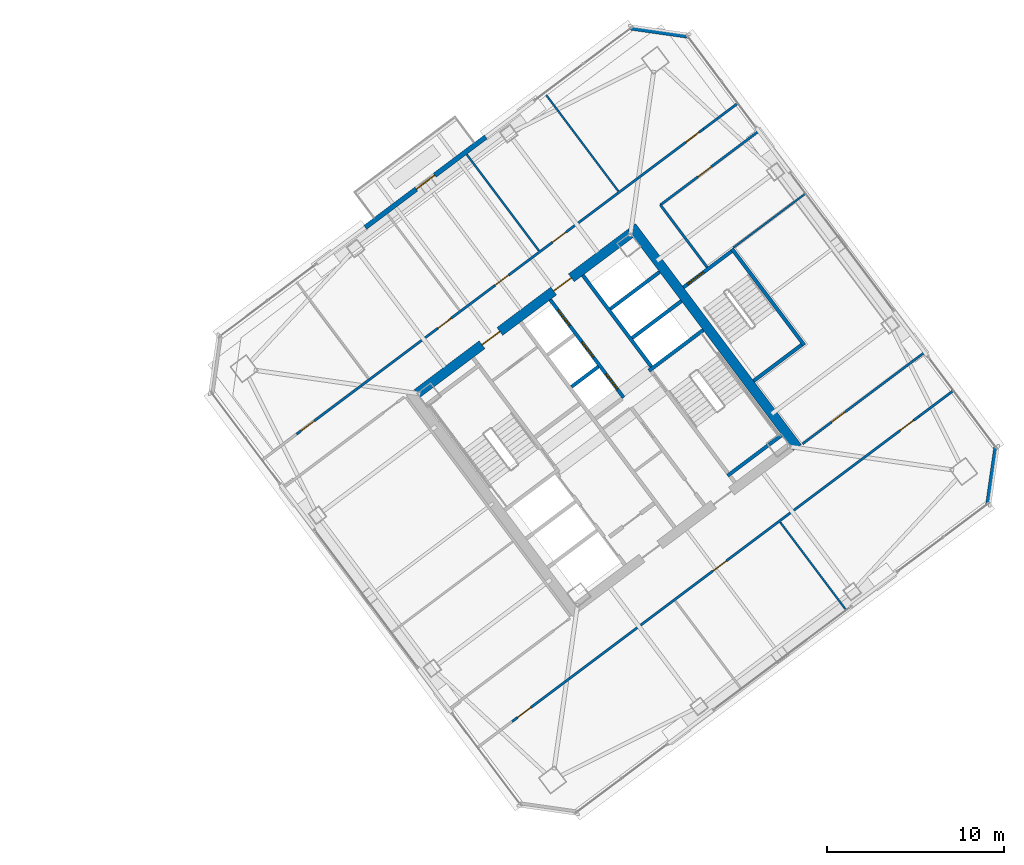
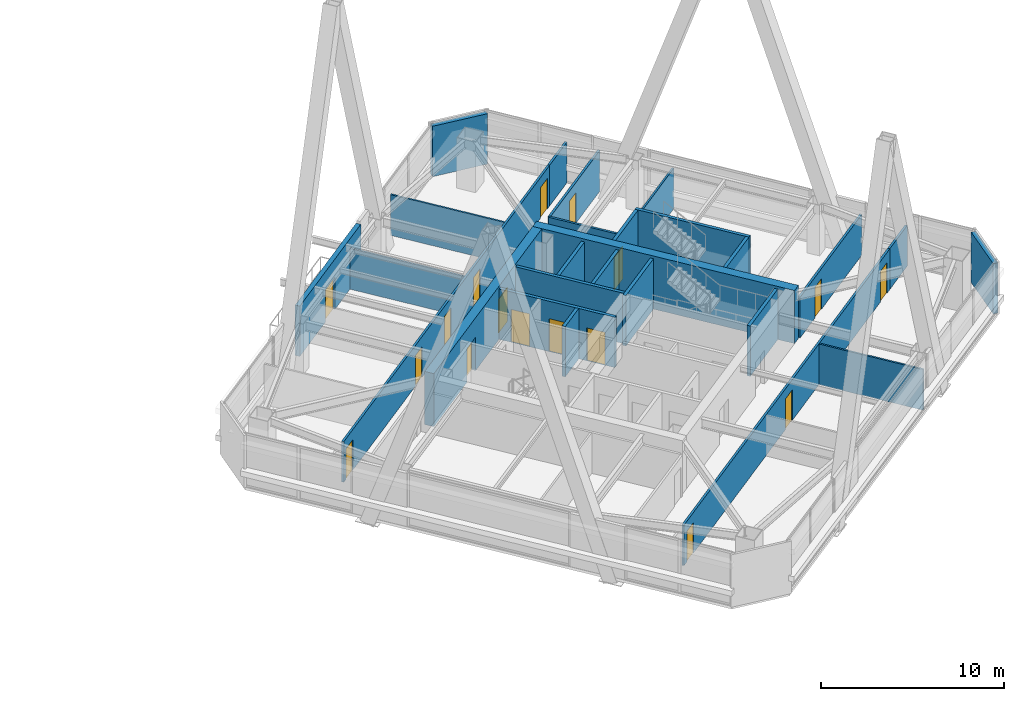
# One storey, part 48 of 55: 26 walls, 17 doors, 17 openings.
"""IFC4 building model written with IfcOpenShell, lengths in metres."""

from ifc_helpers import new_model, si_unit, direction, frame, frame_2d, origin, place, context, subcontext, project, spatial, rectangle, extrude, material, layer, layer_set, type_object, element, fill, save


model = new_model("IFC4")

# Units and contexts
model_context = context("Model", 3, precision=1e-05, world=origin(), true_north=direction((0.0, 1.0)))
body_context = subcontext(model_context, "Body", "Model", "MODEL_VIEW")
ifc_project = project(units=[si_unit("LENGTHUNIT", "METRE"), si_unit("AREAUNIT", "SQUARE_METRE"), si_unit("VOLUMEUNIT", "CUBIC_METRE"), si_unit("PLANEANGLEUNIT", "RADIAN"), si_unit("MASSUNIT", "GRAM", prefix="KILO")], contexts=[model_context])

# Site, building, storey
site_placement = place(None, origin())
site = spatial("IfcSite", under=ifc_project, at=site_placement, CompositionType="ELEMENT")
building_placement = place(site_placement, origin())
building = spatial("IfcBuilding", under=site, at=building_placement, Name="Tashvorn Skyway Center", CompositionType="ELEMENT")
storey_placement = place(building_placement, frame((0.0, 0.0, 178.300048828125)))
storey = spatial("IfcBuildingStorey", under=building, at=storey_placement, Name="L48", CompositionType="ELEMENT", Elevation=178.300048828125)

# Wall
ifc_material_1 = material(Name="Concrete C60/75", Category="concrete")
ifc_layer_1 = layer(ifc_material_1, 0.550048828125)
ifc_layer_set_1 = layer_set([ifc_layer_1], Name="Concrete C60/75")
wall_type_1 = type_object("IfcWallType", Name="WALL-CORE-550", PredefinedType="SHEAR", material=ifc_layer_set_1)
wall_1_placement = place(storey_placement, frame((115.56396484375, 42.923095703125, 0.0), z_axis=(0.0, 0.0, 1.0), x_axis=(0.600005007985, -0.799996243986, 0.0)))
element("IfcWall", 1, at=wall_1_placement, inside=storey, type_object=wall_type_1, Name="Tower 2 L48 East Core Shear Wall", PredefinedType="SHEAR", context=body_context, shape_type="SweptSolid", body=[
    extrude(rectangle(XDim=15.60009765625, YDim=0.550048828125, at=frame_2d((7.800048828125, 0.0))), origin(), (0.0, 0.0, 1.0), 3.550048828125),
])

# Wall, openings, doors
wall_2_placement = place(storey_placement, frame((103.4609375, 33.501953125, 0.0), z_axis=(0.0, 0.0, 1.0), x_axis=(0.799998054672, 0.600002593761, 0.0)))
wall_2 = element("IfcWall", 2, at=wall_2_placement, inside=storey, type_object=wall_type_1, Name="Tower 2 L48 North Core Shear Wall", PredefinedType="SHEAR", context=body_context, shape_type="SweptSolid", body=[
    extrude(rectangle(XDim=15.06005859375, YDim=0.550048828125, at=frame_2d((7.530029296875, 0.0))), origin(), (0.0, 0.0, 1.0), 3.550048828125),
])
opening_1_placement = place(wall_2_placement, frame((4.580078125, 0.0, 0.0)))
opening_1 = element("IfcOpeningElement", 3, at=opening_1_placement, cuts=wall_2, Name="Opening D-FFL-1250", PredefinedType="OPENING", context=body_context, shape_type="SweptSolid", body=[
    extrude(rectangle(XDim=1.25, YDim=2.25, at=frame_2d((0.625, 1.125))), frame((0.0, 0.284912109375, 0.0), z_axis=(0.0, -1.0, 0.0), x_axis=(1.0, 0.0, 0.0)), (0.0, 0.0, 1.0), 0.570068359375),
])
opening_2_placement = place(wall_2_placement, frame((9.6298828125, 0.0, 0.0)))
opening_2 = element("IfcOpeningElement", 4, at=opening_2_placement, cuts=wall_2, Name="Opening D-FFL-1250", PredefinedType="OPENING", context=body_context, shape_type="SweptSolid", body=[
    extrude(rectangle(XDim=1.25, YDim=2.25, at=frame_2d((0.625, 1.125))), frame((0.0, 0.284912109375, 0.0), z_axis=(0.0, -1.0, 0.0), x_axis=(1.0, 0.0, 0.0)), (0.0, 0.0, 1.0), 0.570068359375),
])
ifc_material_2 = material(Name="Hollow galvanized steel fire door assembly", Category="steel")
door_type_1 = type_object("IfcDoorType", Name="DOOR-FFL-1250", OperationType="NOTDEFINED", PredefinedType="DOOR", material=ifc_material_2)
door_1_placement = place(opening_1_placement, origin())
door_1 = element("IfcDoor", 5, at=door_1_placement, inside=storey, type_object=door_type_1, Name="Tower 2 L48 Core North Service Lobby Door", OperationType="SINGLE_SWING_LEFT", OverallHeight=2.25, OverallWidth=1.25, PredefinedType="DOOR", context=body_context, shape_type="SweptSolid", body=[
    extrude(rectangle(XDim=1.25, YDim=2.25, at=frame_2d((0.625, 1.125))), frame((0.0, 0.02490234375, 0.0), z_axis=(0.0, -1.0, 0.0), x_axis=(1.0, 0.0, 0.0)), (0.0, 0.0, 1.0), 0.050048828125),
])
fill(opening_1, door_1)
door_2_placement = place(opening_2_placement, origin())
door_2 = element("IfcDoor", 6, at=door_2_placement, inside=storey, type_object=door_type_1, Name="Tower 2 L48 Core North Lift Lobby Door", OperationType="SINGLE_SWING_RIGHT", OverallHeight=2.25, OverallWidth=1.25, PredefinedType="DOOR", context=body_context, shape_type="SweptSolid", body=[
    extrude(rectangle(XDim=1.25, YDim=2.25, at=frame_2d((0.625, 1.125))), frame((0.0, 0.02490234375, 0.0), z_axis=(0.0, -1.0, 0.0), x_axis=(1.0, 0.0, 0.0)), (0.0, 0.0, 1.0), 0.050048828125),
])
fill(opening_2, door_2)

# Wall, opening, door
ifc_material_3 = material(Name="Precast concrete C40/50", Category="concrete")
ifc_layer_2 = layer(ifc_material_3, 0.280029296875)
ifc_layer_set_2 = layer_set([ifc_layer_2], Name="Precast concrete C40/50")
wall_type_2 = type_object("IfcWallType", Name="WALL-EXT-280", PredefinedType="SOLIDWALL", material=ifc_layer_set_2)
wall_3_placement = place(storey_placement, frame((100.531982421875, 42.8740234375, 0.0), z_axis=(0.0, 0.0, 1.0), x_axis=(0.799996553335, 0.600004595526, 0.0)))
wall_3 = element("IfcWall", 7, at=wall_3_placement, inside=storey, type_object=wall_type_2, Name="Tower 2 L48 North Terrace Portal Wall", PredefinedType="SOLIDWALL", context=body_context, shape_type="SweptSolid", body=[
    extrude(rectangle(XDim=8.5, YDim=0.280029296875, at=frame_2d((4.25, 0.0))), origin(), (0.0, 0.0, 1.0), 3.369873046875),
])
opening_3_placement = place(wall_3_placement, frame((3.60009765625, 0.0, 0.0)))
opening_3 = element("IfcOpeningElement", 8, at=opening_3_placement, cuts=wall_3, Name="Opening D-TER-1300", PredefinedType="OPENING", context=body_context, shape_type="SweptSolid", body=[
    extrude(rectangle(XDim=1.300048828125, YDim=2.14990234375, at=frame_2d((0.64990234375, 1.074951171875))), frame((0.0, 0.14990234375, 0.0), z_axis=(0.0, -1.0, 0.0), x_axis=(1.0, 0.0, 0.0)), (0.0, 0.0, 1.0), 0.300048828125),
])
ifc_material_4 = material(Name="Thermally broken bronze-anodized aluminium 6063-T6", Category="aluminium")
door_type_2 = type_object("IfcDoorType", Name="DOOR-TERR-1300", OperationType="NOTDEFINED", PredefinedType="DOOR", material=ifc_material_4)
door_3_placement = place(opening_3_placement, origin())
door_3 = element("IfcDoor", 9, at=door_3_placement, inside=storey, type_object=door_type_2, Name="Tower 2 L48 Terrace Access Door", OperationType="SINGLE_SWING_LEFT", OverallHeight=2.14990234375, OverallWidth=1.300048828125, PredefinedType="DOOR", context=body_context, shape_type="SweptSolid", body=[
    extrude(rectangle(XDim=1.300048828125, YDim=2.14990234375, at=frame_2d((0.64990234375, 1.074951171875))), frame((0.0, 0.02490234375, 0.0), z_axis=(0.0, -1.0, 0.0), x_axis=(1.0, 0.0, 0.0)), (0.0, 0.0, 1.0), 0.050048828125),
])
fill(opening_3, door_3)

# Walls
for number, where, z_axis, x_axis, name in (
    (10, (115.52001953125, 54.139892578125, 0.0), (0.0, 0.0, 1.0), (0.989950994782, -0.141410847992, 0.0), "Tower 2 L48 NE Precast Chamfer Wall"),
    (11, (136.139892578125, 30.47998046875, 0.0), (0.0, 0.0, 1.0), (-0.141410847992, -0.989950994782, 0.0), "Tower 2 L48 SE Precast Chamfer Wall"),
):
    element("IfcWall", number, at=place(storey_placement, frame(where, z_axis=z_axis, x_axis=x_axis)), inside=storey, type_object=wall_type_2, Name=name, PredefinedType="SOLIDWALL", context=body_context, shape_type="SweptSolid", body=[
        extrude(rectangle(XDim=3.252685546875, YDim=0.280029296875, at=frame_2d((1.62646484375, 0.0))), origin(), (0.0, 0.0, 1.0), 3.369873046875),
    ])
ifc_material_5 = material(Name="Gypsum board on cold-formed steel stud framing", Category="steel")
ifc_layer_3 = layer(ifc_material_5, 0.110107421875)
ifc_layer_set_3 = layer_set([ifc_layer_3], Name="Gypsum board on cold-formed steel stud framing")
wall_type_3 = type_object("IfcWallType", Name="WALL-PART-110", PredefinedType="PARTITIONING", material=ifc_layer_set_3)
for number, where, z_axis, x_axis, name in (
    (12, (110.330078125, 41.56005859375, 0.0), (0.0, 0.0, 1.0), (-0.600023045706, 0.799982715202, 0.0), "Tower 2 L48 North Suite Partition 3"),
    (13, (114.81005859375, 44.919921875, 0.0), (0.0, 0.0, 1.0), (-0.600005761307, 0.799995678987, 0.0), "Tower 2 L48 North Suite Partition 4"),
):
    element("IfcWall", number, at=place(storey_placement, frame(where, z_axis=z_axis, x_axis=x_axis)), inside=storey, type_object=wall_type_3, Name=name, PredefinedType="PARTITIONING", context=body_context, shape_type="SweptSolid", body=[
        extrude(rectangle(XDim=6.780029296875, YDim=0.110107421875, at=frame_2d((3.39013671875, 0.0))), origin(), (0.0, 0.0, 1.0), 2.722900390625),
    ])
wall_4_placement = place(storey_placement, frame((127.66796875, 21.27587890625, 0.0), z_axis=(0.0, 0.0, 1.0), x_axis=(-0.599981099069, 0.800014175349, 0.0)))
element("IfcWall", 14, at=wall_4_placement, inside=storey, type_object=wall_type_3, Name="Tower 2 L48 South Suite Partition 2", PredefinedType="PARTITIONING", context=body_context, shape_type="SweptSolid", body=[
    extrude(rectangle(XDim=6.2001953125, YDim=0.110107421875, at=frame_2d((3.10009765625, 0.0))), origin(), (0.0, 0.0, 1.0), 2.722900390625),
])
wall_5_placement = place(storey_placement, frame((125.384033203125, 44.7880859375, 0.0), z_axis=(0.0, 0.0, 1.0), x_axis=(-0.8, -0.6, 0.0)))
element("IfcWall", 15, at=wall_5_placement, inside=storey, type_object=wall_type_3, Name="Tower 2 L48 East Suite Partition 1", PredefinedType="PARTITIONING", context=body_context, shape_type="SweptSolid", body=[
    extrude(rectangle(XDim=5.10009765625, YDim=0.110107421875, at=frame_2d((2.550048828125, 0.0))), origin(), (0.0, 0.0, 1.0), 2.722900390625),
])
ifc_layer_4 = layer(ifc_material_5, 0.135009765625)
ifc_layer_set_4 = layer_set([ifc_layer_4], Name="Gypsum board on cold-formed steel stud framing")
wall_type_4 = type_object("IfcWallType", Name="WALL-PART-135", PredefinedType="PARTITIONING", material=ifc_layer_set_4)
wall_6_placement = place(storey_placement, frame((119.823974609375, 40.617919921875, 0.0), z_axis=(0.0, 0.0, 1.0), x_axis=(-0.599982243973, 0.800013316712, 0.0)))
element("IfcWall", 16, at=wall_6_placement, inside=storey, type_object=wall_type_4, Name="Tower 2 L48 Stair 3 Access Corridor Wall", PredefinedType="PARTITIONING", context=body_context, shape_type="SweptSolid", body=[
    extrude(rectangle(XDim=4.39990234375, YDim=0.135009765625, at=frame_2d((2.199951171875, 0.0))), origin(), (0.0, 0.0, 1.0), 2.722900390625),
])

# Wall, openings, doors
wall_7_placement = place(storey_placement, frame((96.657958984375, 31.2060546875, 0.0), z_axis=(0.0, 0.0, 1.0), x_axis=(0.8, 0.6, 0.0)))
wall_7 = element("IfcWall", 17, at=wall_7_placement, inside=storey, type_object=wall_type_4, Name="Tower 2 L48 North Suite Wall", PredefinedType="PARTITIONING", context=body_context, shape_type="SweptSolid", body=[
    extrude(rectangle(XDim=28.699951171875, YDim=0.135009765625, at=frame_2d((14.35009765625, 0.0))), origin(), (0.0, 0.0, 1.0), 2.722900390625),
])
opening_4_placement = place(wall_7_placement, frame((0.300048828125, 0.0, 0.0)))
opening_4 = element("IfcOpeningElement", 18, at=opening_4_placement, cuts=wall_7, Name="Opening D-INT-950", PredefinedType="OPENING", context=body_context, shape_type="SweptSolid", body=[
    extrude(rectangle(XDim=0.949951171875, YDim=2.050048828125, at=frame_2d((0.47509765625, 1.02490234375))), frame((0.0, 0.077392578125, 0.0), z_axis=(0.0, -1.0, 0.0), x_axis=(1.0, 0.0, 0.0)), (0.0, 0.0, 1.0), 0.155029296875),
])
opening_5_placement = place(wall_7_placement, frame((9.95947265625, 0.0, 0.0)))
opening_5 = element("IfcOpeningElement", 19, at=opening_5_placement, cuts=wall_7, Name="Opening D-INT-950", PredefinedType="OPENING", context=body_context, shape_type="SweptSolid", body=[
    extrude(rectangle(XDim=0.949951171875, YDim=2.050048828125, at=frame_2d((0.47509765625, 1.02490234375))), frame((0.0, 0.077392578125, 0.0), z_axis=(0.0, -1.0, 0.0), x_axis=(1.0, 0.0, 0.0)), (0.0, 0.0, 1.0), 0.155029296875),
])
opening_6_placement = place(wall_7_placement, frame((14.004638671875, 0.0, 0.0)))
opening_6 = element("IfcOpeningElement", 20, at=opening_6_placement, cuts=wall_7, Name="Opening D-INT-950", PredefinedType="OPENING", context=body_context, shape_type="SweptSolid", body=[
    extrude(rectangle(XDim=0.949951171875, YDim=2.050048828125, at=frame_2d((0.47509765625, 1.02490234375))), frame((0.0, 0.077392578125, 0.0), z_axis=(0.0, -1.0, 0.0), x_axis=(1.0, 0.0, 0.0)), (0.0, 0.0, 1.0), 0.155029296875),
])
opening_7_placement = place(wall_7_placement, frame((18.048583984375, 0.0, 0.0)))
opening_7 = element("IfcOpeningElement", 21, at=opening_7_placement, cuts=wall_7, Name="Opening D-INT-950", PredefinedType="OPENING", context=body_context, shape_type="SweptSolid", body=[
    extrude(rectangle(XDim=0.949951171875, YDim=2.050048828125, at=frame_2d((0.47509765625, 1.02490234375))), frame((0.0, 0.077392578125, 0.0), z_axis=(0.0, -1.0, 0.0), x_axis=(1.0, 0.0, 0.0)), (0.0, 0.0, 1.0), 0.155029296875),
])
opening_8_placement = place(wall_7_placement, frame((27.449951171875, 0.0, 0.0)))
opening_8 = element("IfcOpeningElement", 22, at=opening_8_placement, cuts=wall_7, Name="Opening D-INT-950", PredefinedType="OPENING", context=body_context, shape_type="SweptSolid", body=[
    extrude(rectangle(XDim=0.949951171875, YDim=2.050048828125, at=frame_2d((0.47509765625, 1.02490234375))), frame((0.0, 0.077392578125, 0.0), z_axis=(0.0, -1.0, 0.0), x_axis=(1.0, 0.0, 0.0)), (0.0, 0.0, 1.0), 0.155029296875),
])
ifc_material_6 = material(Name="Solid-core architectural oak veneer door")
door_type_3 = type_object("IfcDoorType", Name="DOOR-INT-950", OperationType="NOTDEFINED", PredefinedType="DOOR", material=ifc_material_6)
door_4_placement = place(opening_4_placement, origin())
door_4 = element("IfcDoor", 23, at=door_4_placement, inside=storey, type_object=door_type_3, Name="Tower 2 L48 Research Library Door", OperationType="SINGLE_SWING_RIGHT", OverallHeight=2.050048828125, OverallWidth=0.949951171875, PredefinedType="DOOR", context=body_context, shape_type="SweptSolid", body=[
    extrude(rectangle(XDim=0.949951171875, YDim=2.050048828125, at=frame_2d((0.47509765625, 1.02490234375))), frame((0.0, 0.02490234375, 0.0), z_axis=(0.0, -1.0, 0.0), x_axis=(1.0, 0.0, 0.0)), (0.0, 0.0, 1.0), 0.050048828125),
])
fill(opening_4, door_4)
door_5_placement = place(opening_5_placement, origin())
door_5 = element("IfcDoor", 24, at=door_5_placement, inside=storey, type_object=door_type_3, Name="Tower 2 L48 Research Library Door", OperationType="SINGLE_SWING_LEFT", OverallHeight=2.050048828125, OverallWidth=0.949951171875, PredefinedType="DOOR", context=body_context, shape_type="SweptSolid", body=[
    extrude(rectangle(XDim=0.949951171875, YDim=2.050048828125, at=frame_2d((0.47509765625, 1.02490234375))), frame((0.0, 0.02490234375, 0.0), z_axis=(0.0, -1.0, 0.0), x_axis=(1.0, 0.0, 0.0)), (0.0, 0.0, 1.0), 0.050048828125),
])
fill(opening_5, door_5)
door_6_placement = place(opening_6_placement, origin())
door_6 = element("IfcDoor", 25, at=door_6_placement, inside=storey, type_object=door_type_3, Name="Tower 2 L48 Reading Lounge Door", OperationType="SINGLE_SWING_RIGHT", OverallHeight=2.050048828125, OverallWidth=0.949951171875, PredefinedType="DOOR", context=body_context, shape_type="SweptSolid", body=[
    extrude(rectangle(XDim=0.949951171875, YDim=2.050048828125, at=frame_2d((0.47509765625, 1.02490234375))), frame((0.0, 0.02490234375, 0.0), z_axis=(0.0, -1.0, 0.0), x_axis=(1.0, 0.0, 0.0)), (0.0, 0.0, 1.0), 0.050048828125),
])
fill(opening_6, door_6)
door_7_placement = place(opening_7_placement, origin())
door_7 = element("IfcDoor", 26, at=door_7_placement, inside=storey, type_object=door_type_3, Name="Tower 2 L48 Research Library Door", OperationType="SINGLE_SWING_LEFT", OverallHeight=2.050048828125, OverallWidth=0.949951171875, PredefinedType="DOOR", context=body_context, shape_type="SweptSolid", body=[
    extrude(rectangle(XDim=0.949951171875, YDim=2.050048828125, at=frame_2d((0.47509765625, 1.02490234375))), frame((0.0, 0.02490234375, 0.0), z_axis=(0.0, -1.0, 0.0), x_axis=(1.0, 0.0, 0.0)), (0.0, 0.0, 1.0), 0.050048828125),
])
fill(opening_7, door_7)
door_8_placement = place(opening_8_placement, origin())
door_8 = element("IfcDoor", 27, at=door_8_placement, inside=storey, type_object=door_type_3, Name="Tower 2 L48 Research Library Door", OperationType="SINGLE_SWING_RIGHT", OverallHeight=2.050048828125, OverallWidth=0.949951171875, PredefinedType="DOOR", context=body_context, shape_type="SweptSolid", body=[
    extrude(rectangle(XDim=0.949951171875, YDim=2.050048828125, at=frame_2d((0.47509765625, 1.02490234375))), frame((0.0, 0.02490234375, 0.0), z_axis=(0.0, -1.0, 0.0), x_axis=(1.0, 0.0, 0.0)), (0.0, 0.0, 1.0), 0.050048828125),
])
fill(opening_8, door_8)

# Wall
wall_8_placement = place(storey_placement, frame((119.617919921875, 48.426025390625, 0.0), z_axis=(0.0, 0.0, 1.0), x_axis=(0.800012055778, 0.599983925293, 0.0)))
element("IfcWall", 28, at=wall_8_placement, inside=storey, type_object=wall_type_4, Name="Tower 2 L48 North-East Suite South Wall", PredefinedType="PARTITIONING", context=body_context, shape_type="SweptSolid", body=[
    extrude(rectangle(XDim=2.43017578125, YDim=0.135009765625, at=frame_2d((1.215087890625, 0.0))), origin(), (0.0, 0.0, 1.0), 2.722900390625),
])

# Wall, openings, doors
wall_9_placement = place(storey_placement, frame((131.780029296875, 32.2099609375, 0.0), z_axis=(0.0, 0.0, 1.0), x_axis=(-0.8, -0.6, 0.0)))
wall_9 = element("IfcWall", 29, at=wall_9_placement, inside=storey, type_object=wall_type_4, Name="Tower 2 L48 South Suite Wall", PredefinedType="PARTITIONING", context=body_context, shape_type="SweptSolid", body=[
    extrude(rectangle(XDim=28.699951171875, YDim=0.135009765625, at=frame_2d((14.35009765625, 0.0))), origin(), (0.0, 0.0, 1.0), 2.722900390625),
])
opening_9_placement = place(wall_9_placement, frame((27.3701171875, 0.0, 0.0)))
opening_9 = element("IfcOpeningElement", 30, at=opening_9_placement, cuts=wall_9, Name="Opening D-INT-950", PredefinedType="OPENING", context=body_context, shape_type="SweptSolid", body=[
    extrude(rectangle(XDim=0.949951171875, YDim=2.050048828125, at=frame_2d((0.47509765625, 1.02490234375))), frame((0.0, 0.077392578125, 0.0), z_axis=(0.0, -1.0, 0.0), x_axis=(1.0, 0.0, 0.0)), (0.0, 0.0, 1.0), 0.155029296875),
])
opening_10_placement = place(wall_9_placement, frame((13.59228515625, 0.0, 0.0)))
opening_10 = element("IfcOpeningElement", 31, at=opening_10_placement, cuts=wall_9, Name="Opening D-INT-950", PredefinedType="OPENING", context=body_context, shape_type="SweptSolid", body=[
    extrude(rectangle(XDim=0.949951171875, YDim=2.050048828125, at=frame_2d((0.47509765625, 1.02490234375))), frame((0.0, 0.077392578125, 0.0), z_axis=(0.0, -1.0, 0.0), x_axis=(1.0, 0.0, 0.0)), (0.0, 0.0, 1.0), 0.155029296875),
])
opening_11_placement = place(wall_9_placement, frame((0.3798828125, 0.0, 0.0)))
opening_11 = element("IfcOpeningElement", 32, at=opening_11_placement, cuts=wall_9, Name="Opening D-INT-950", PredefinedType="OPENING", context=body_context, shape_type="SweptSolid", body=[
    extrude(rectangle(XDim=0.949951171875, YDim=2.050048828125, at=frame_2d((0.47509765625, 1.02490234375))), frame((0.0, 0.077392578125, 0.0), z_axis=(0.0, -1.0, 0.0), x_axis=(1.0, 0.0, 0.0)), (0.0, 0.0, 1.0), 0.155029296875),
])
door_9_placement = place(opening_9_placement, origin())
door_9 = element("IfcDoor", 33, at=door_9_placement, inside=storey, type_object=door_type_3, Name="Tower 2 L48 Research Library Door", OperationType="SINGLE_SWING_LEFT", OverallHeight=2.050048828125, OverallWidth=0.949951171875, PredefinedType="DOOR", context=body_context, shape_type="SweptSolid", body=[
    extrude(rectangle(XDim=0.949951171875, YDim=2.050048828125, at=frame_2d((0.47509765625, 1.02490234375))), frame((0.0, 0.02490234375, 0.0), z_axis=(0.0, -1.0, 0.0), x_axis=(1.0, 0.0, 0.0)), (0.0, 0.0, 1.0), 0.050048828125),
])
fill(opening_9, door_9)
door_10_placement = place(opening_10_placement, origin())
door_10 = element("IfcDoor", 34, at=door_10_placement, inside=storey, type_object=door_type_3, Name="Tower 2 L48 Reading Lounge Door", OperationType="SINGLE_SWING_RIGHT", OverallHeight=2.050048828125, OverallWidth=0.949951171875, PredefinedType="DOOR", context=body_context, shape_type="SweptSolid", body=[
    extrude(rectangle(XDim=0.949951171875, YDim=2.050048828125, at=frame_2d((0.47509765625, 1.02490234375))), frame((0.0, 0.02490234375, 0.0), z_axis=(0.0, -1.0, 0.0), x_axis=(1.0, 0.0, 0.0)), (0.0, 0.0, 1.0), 0.050048828125),
])
fill(opening_10, door_10)
door_11_placement = place(opening_11_placement, origin())
door_11 = element("IfcDoor", 35, at=door_11_placement, inside=storey, type_object=door_type_3, Name="Tower 2 L48 Reading Lounge Door", OperationType="SINGLE_SWING_LEFT", OverallHeight=2.050048828125, OverallWidth=0.949951171875, PredefinedType="DOOR", context=body_context, shape_type="SweptSolid", body=[
    extrude(rectangle(XDim=0.949951171875, YDim=2.050048828125, at=frame_2d((0.47509765625, 1.02490234375))), frame((0.0, 0.02490234375, 0.0), z_axis=(0.0, -1.0, 0.0), x_axis=(1.0, 0.0, 0.0)), (0.0, 0.0, 1.0), 0.050048828125),
])
fill(opening_11, door_11)

# Wall
wall_10_placement = place(storey_placement, frame((131.780029296875, 32.2099609375, 0.0), z_axis=(0.0, 0.0, 1.0), x_axis=(0.800012055778, 0.599983925293, 0.0)))
element("IfcWall", 36, at=wall_10_placement, inside=storey, type_object=wall_type_4, Name="Tower 2 L48 South-East Suite North Wall", PredefinedType="PARTITIONING", context=body_context, shape_type="SweptSolid", body=[
    extrude(rectangle(XDim=2.43017578125, YDim=0.135009765625, at=frame_2d((1.215087890625, 0.0))), origin(), (0.0, 0.0, 1.0), 2.722900390625),
])

# Wall, opening, door
wall_11_placement = place(storey_placement, frame((122.743896484375, 48.30810546875, 0.0), z_axis=(0.0, 0.0, 1.0), x_axis=(-0.79997892247, -0.600028102345, 0.0)))
wall_11 = element("IfcWall", 37, at=wall_11_placement, inside=storey, type_object=wall_type_4, Name="Tower 2 L48 East Suite North Wall", PredefinedType="PARTITIONING", context=body_context, shape_type="SweptSolid", body=[
    extrude(rectangle(XDim=6.949951171875, YDim=0.135009765625, at=frame_2d((3.47509765625, 0.0))), origin(), (0.0, 0.0, 1.0), 2.722900390625),
])
opening_12_placement = place(wall_11_placement, frame((3.35009765625, 0.0, 0.0)))
opening_12 = element("IfcOpeningElement", 38, at=opening_12_placement, cuts=wall_11, Name="Opening D-INT-950", PredefinedType="OPENING", context=body_context, shape_type="SweptSolid", body=[
    extrude(rectangle(XDim=0.949951171875, YDim=2.050048828125, at=frame_2d((0.47509765625, 1.02490234375))), frame((0.0, 0.077392578125, 0.0), z_axis=(0.0, -1.0, 0.0), x_axis=(1.0, 0.0, 0.0)), (0.0, 0.0, 1.0), 0.155029296875),
])
door_12_placement = place(opening_12_placement, origin())
door_12 = element("IfcDoor", 39, at=door_12_placement, inside=storey, type_object=door_type_3, Name="Tower 2 L48 Research Library Door", OperationType="SINGLE_SWING_RIGHT", OverallHeight=2.050048828125, OverallWidth=0.949951171875, PredefinedType="DOOR", context=body_context, shape_type="SweptSolid", body=[
    extrude(rectangle(XDim=0.949951171875, YDim=2.050048828125, at=frame_2d((0.47509765625, 1.02490234375))), frame((0.0, 0.02490234375, 0.0), z_axis=(0.0, -1.0, 0.0), x_axis=(1.0, 0.0, 0.0)), (0.0, 0.0, 1.0), 0.050048828125),
])
fill(opening_12, door_12)

wall_12_placement = place(storey_placement, frame((125.2080078125, 30.656005859375, 0.0), z_axis=(0.0, 0.0, 1.0), x_axis=(0.800006797429, 0.599990936654, 0.0)))
wall_12 = element("IfcWall", 40, at=wall_12_placement, inside=storey, type_object=wall_type_4, Name="Tower 2 L48 East Suite South Wall", PredefinedType="PARTITIONING", context=body_context, shape_type="SweptSolid", body=[
    extrude(rectangle(XDim=8.619873046875, YDim=0.135009765625, at=frame_2d((4.31005859375, 0.0))), origin(), (0.0, 0.0, 1.0), 2.722900390625),
])
opening_13_placement = place(wall_12_placement, frame((2.044921875, 0.0, 0.0)))
opening_13 = element("IfcOpeningElement", 41, at=opening_13_placement, cuts=wall_12, Name="Opening D-INT-950", PredefinedType="OPENING", context=body_context, shape_type="SweptSolid", body=[
    extrude(rectangle(XDim=0.949951171875, YDim=2.050048828125, at=frame_2d((0.47509765625, 1.02490234375))), frame((0.0, 0.077392578125, 0.0), z_axis=(0.0, -1.0, 0.0), x_axis=(1.0, 0.0, 0.0)), (0.0, 0.0, 1.0), 0.155029296875),
])
door_13_placement = place(opening_13_placement, origin())
door_13 = element("IfcDoor", 42, at=door_13_placement, inside=storey, type_object=door_type_3, Name="Tower 2 L48 Public Restroom Door", OperationType="SINGLE_SWING_LEFT", OverallHeight=2.050048828125, OverallWidth=0.949951171875, PredefinedType="DOOR", context=body_context, shape_type="SweptSolid", body=[
    extrude(rectangle(XDim=0.949951171875, YDim=2.050048828125, at=frame_2d((0.47509765625, 1.02490234375))), frame((0.0, 0.02490234375, 0.0), z_axis=(0.0, -1.0, 0.0), x_axis=(1.0, 0.0, 0.0)), (0.0, 0.0, 1.0), 0.050048828125),
])
fill(opening_13, door_13)

# Walls
ifc_material_7 = material(Name="Concrete C40/50", Category="concrete")
ifc_layer_5 = layer(ifc_material_7, 0.199951171875)
ifc_layer_set_5 = layer_set([ifc_layer_5], Name="Concrete C40/50")
wall_type_5 = type_object("IfcWallType", Name="WALL-SHAFT-200", PredefinedType="SOLIDWALL", material=ifc_layer_set_5)
for number, where, z_axis, x_axis, name in (
    (43, (115.590087890625, 36.6298828125, 0.0), (0.0, 0.0, 1.0), (0.799974743577, 0.600033673754, 0.0), "Tower 2 L48 High-Rise Shaft Divider"),
    (44, (114.360107421875, 38.27001953125, 0.0), (0.0, 0.0, 1.0), (0.800008418847, 0.599988774707, 0.0), "Tower 2 L48 High-Rise Shaft Divider"),
):
    element("IfcWall", number, at=place(storey_placement, frame(where, z_axis=z_axis, x_axis=x_axis)), inside=storey, type_object=wall_type_5, Name=name, PredefinedType="SOLIDWALL", context=body_context, shape_type="SweptSolid", body=[
        extrude(rectangle(XDim=3.47998046875, YDim=0.199951171875, at=frame_2d((1.739990234375, 0.0))), origin(), (0.0, 0.0, 1.0), 3.369873046875),
    ])

# Wall, openings, doors
wall_13_placement = place(storey_placement, frame((115.110107421875, 33.27001953125, 0.0), z_axis=(0.0, 0.0, 1.0), x_axis=(-0.600011322243, 0.799991508192, 0.0)))
wall_13 = element("IfcWall", 45, at=wall_13_placement, inside=storey, type_object=wall_type_5, Name="Tower 2 L48 Mid-Rise Core Wall", PredefinedType="SOLIDWALL", context=body_context, shape_type="SweptSolid", body=[
    extrude(rectangle(XDim=6.900146484375, YDim=0.199951171875, at=frame_2d((3.4501953125, 0.0))), origin(), (0.0, 0.0, 1.0), 3.369873046875),
])
opening_14_placement = place(wall_13_placement, frame((0.574951171875, 0.0, 0.0)))
opening_14 = element("IfcOpeningElement", 46, at=opening_14_placement, cuts=wall_13, Name="Opening LD-MR-T2-1-L48", PredefinedType="OPENING", context=body_context, shape_type="SweptSolid", body=[
    extrude(rectangle(XDim=1.10009765625, YDim=2.199951171875, at=frame_2d((0.550048828125, 1.10009765625))), frame((0.0, 0.10986328125, 0.0), z_axis=(0.0, -1.0, 0.0), x_axis=(1.0, 0.0, 0.0)), (0.0, 0.0, 1.0), 0.219970703125),
])
opening_15_placement = place(wall_13_placement, frame((2.824951171875, 0.0, 0.0)))
opening_15 = element("IfcOpeningElement", 47, at=opening_15_placement, cuts=wall_13, Name="Opening LD-MR-T2-2-L48", PredefinedType="OPENING", context=body_context, shape_type="SweptSolid", body=[
    extrude(rectangle(XDim=1.10009765625, YDim=2.199951171875, at=frame_2d((0.550048828125, 1.10009765625))), frame((0.0, 0.10986328125, 0.0), z_axis=(0.0, -1.0, 0.0), x_axis=(1.0, 0.0, 0.0)), (0.0, 0.0, 1.0), 0.219970703125),
])
opening_16_placement = place(wall_13_placement, frame((5.074951171875, 0.0, 0.0)))
opening_16 = element("IfcOpeningElement", 48, at=opening_16_placement, cuts=wall_13, Name="Opening LD-MR-T2-3-L48", PredefinedType="OPENING", context=body_context, shape_type="SweptSolid", body=[
    extrude(rectangle(XDim=1.10009765625, YDim=2.199951171875, at=frame_2d((0.550048828125, 1.10009765625))), frame((0.0, 0.10986328125, 0.0), z_axis=(0.0, -1.0, 0.0), x_axis=(1.0, 0.0, 0.0)), (0.0, 0.0, 1.0), 0.219970703125),
])
ifc_material_8 = material(Name="Stainless steel landing door", Category="steel")
door_type_4 = type_object("IfcDoorType", Name="DOOR-LIFT-1100", OperationType="SLIDING_TO_LEFT", PredefinedType="DOOR", material=ifc_material_8)
door_14_placement = place(opening_14_placement, origin())
door_14 = element("IfcDoor", 49, at=door_14_placement, inside=storey, type_object=door_type_4, Name="Lift MR-T2-1 L48 Landing Door", OperationType="SLIDING_TO_LEFT", OverallHeight=2.199951171875, OverallWidth=1.10009765625, PredefinedType="DOOR", context=body_context, shape_type="SweptSolid", body=[
    extrude(rectangle(XDim=1.10009765625, YDim=2.199951171875, at=frame_2d((0.550048828125, 1.10009765625))), frame((0.0, 0.02490234375, 0.0), z_axis=(0.0, -1.0, 0.0), x_axis=(1.0, 0.0, 0.0)), (0.0, 0.0, 1.0), 0.050048828125),
])
fill(opening_14, door_14)
door_15_placement = place(opening_15_placement, origin())
door_15 = element("IfcDoor", 50, at=door_15_placement, inside=storey, type_object=door_type_4, Name="Lift MR-T2-2 L48 Landing Door", OperationType="SLIDING_TO_LEFT", OverallHeight=2.199951171875, OverallWidth=1.10009765625, PredefinedType="DOOR", context=body_context, shape_type="SweptSolid", body=[
    extrude(rectangle(XDim=1.10009765625, YDim=2.199951171875, at=frame_2d((0.550048828125, 1.10009765625))), frame((0.0, 0.02490234375, 0.0), z_axis=(0.0, -1.0, 0.0), x_axis=(1.0, 0.0, 0.0)), (0.0, 0.0, 1.0), 0.050048828125),
])
fill(opening_15, door_15)
door_16_placement = place(opening_16_placement, origin())
door_16 = element("IfcDoor", 51, at=door_16_placement, inside=storey, type_object=door_type_4, Name="Lift MR-T2-3 L48 Landing Door", OperationType="SLIDING_TO_LEFT", OverallHeight=2.199951171875, OverallWidth=1.10009765625, PredefinedType="DOOR", context=body_context, shape_type="SweptSolid", body=[
    extrude(rectangle(XDim=1.10009765625, YDim=2.199951171875, at=frame_2d((0.550048828125, 1.10009765625))), frame((0.0, 0.02490234375, 0.0), z_axis=(0.0, -1.0, 0.0), x_axis=(1.0, 0.0, 0.0)), (0.0, 0.0, 1.0), 0.050048828125),
])
fill(opening_16, door_16)

# Walls
wall_14_placement = place(storey_placement, frame((112.176025390625, 33.882080078125, 0.0), z_axis=(0.0, 0.0, 1.0), x_axis=(0.8, 0.6, 0.0)))
element("IfcWall", 52, at=wall_14_placement, inside=storey, type_object=wall_type_5, Name="Tower 2 L48 Mid-Rise Shaft Divider", PredefinedType="SOLIDWALL", context=body_context, shape_type="SweptSolid", body=[
    extrude(rectangle(XDim=1.8798828125, YDim=0.199951171875, at=frame_2d((0.93994140625, 0.0))), origin(), (0.0, 0.0, 1.0), 3.369873046875),
])
ifc_layer_6 = layer(ifc_material_7, 0.199951171875)
ifc_layer_set_6 = layer_set([ifc_layer_6], Name="Concrete C40/50")
wall_type_6 = type_object("IfcWallType", Name="WALL-STSHF-200", PredefinedType="SHEAR", material=ifc_layer_set_6)
for number, where, z_axis, x_axis, name in (
    (53, (116.5400390625, 34.780029296875, 0.0), (0.0, 0.0, 1.0), (0.800015298837, 0.599979601008, 0.0), "Tower 2 L48 Stair 2 North Wall"),
    (54, (120.97998046875, 28.860107421875, 0.0), (0.0, 0.0, 1.0), (0.800015298837, 0.599979601008, 0.0), "Tower 2 L48 Stair 2 South Wall"),
):
    element("IfcWall", number, at=place(storey_placement, frame(where, z_axis=z_axis, x_axis=x_axis)), inside=storey, type_object=wall_type_6, Name=name, PredefinedType="SHEAR", context=body_context, shape_type="SweptSolid", body=[
        extrude(rectangle(XDim=3.829833984375, YDim=0.199951171875, at=frame_2d((1.9150390625, 0.0))), origin(), (0.0, 0.0, 1.0), 3.369873046875),
    ])
wall_15_placement = place(storey_placement, frame((112.81005859375, 40.169921875, 0.0), z_axis=(0.0, 0.0, 1.0), x_axis=(0.599993943644, -0.800004542231, 0.0)))
element("IfcWall", 55, at=wall_15_placement, inside=storey, type_object=wall_type_6, Name="Tower 2 L48 High-Rise Lift Shaft Front Wall", PredefinedType="SHEAR", context=body_context, shape_type="SweptSolid", body=[
    extrude(rectangle(XDim=6.449951171875, YDim=0.199951171875, at=frame_2d((3.22509765625, 0.0))), origin(), (0.0, 0.0, 1.0), 3.369873046875),
])
wall_16_placement = place(storey_placement, frame((125.303955078125, 36.22802734375, 0.0), z_axis=(0.0, 0.0, 1.0), x_axis=(-0.59998851072, 0.800008616831, 0.0)))
element("IfcWall", 56, at=wall_16_placement, inside=storey, type_object=wall_type_6, Name="Tower 2 L48 Stair 3 Outer Wall", PredefinedType="SHEAR", context=body_context, shape_type="SweptSolid", body=[
    extrude(rectangle(XDim=6.7998046875, YDim=0.199951171875, at=frame_2d((3.39990234375, 0.0))), origin(), (0.0, 0.0, 1.0), 3.369873046875),
])

# Wall, opening, door
wall_17_placement = place(storey_placement, frame((121.2041015625, 41.528076171875, 0.0), z_axis=(0.0, 0.0, 1.0), x_axis=(-0.800017232136, -0.599977023131, 0.0)))
wall_17 = element("IfcWall", 57, at=wall_17_placement, inside=storey, type_object=wall_type_6, Name="Tower 2 L48 Stair 3 Enclosure Wall", PredefinedType="SHEAR", context=body_context, shape_type="SweptSolid", body=[
    extrude(rectangle(XDim=3.400146484375, YDim=0.199951171875, at=frame_2d((1.7001953125, 0.0))), origin(), (0.0, 0.0, 1.0), 3.369873046875),
])
opening_17_placement = place(wall_17_placement, frame((1.97509765625, 0.0, 0.0)))
opening_17 = element("IfcOpeningElement", 58, at=opening_17_placement, cuts=wall_17, Name="Opening D-ST-1150", PredefinedType="OPENING", context=body_context, shape_type="SweptSolid", body=[
    extrude(rectangle(XDim=1.14990234375, YDim=2.199951171875, at=frame_2d((0.574951171875, 1.10009765625))), frame((0.0, 0.10986328125, 0.0), z_axis=(0.0, -1.0, 0.0), x_axis=(1.0, 0.0, 0.0)), (0.0, 0.0, 1.0), 0.219970703125),
])
door_type_5 = type_object("IfcDoorType", Name="DOOR-STAIR-1150", OperationType="NOTDEFINED", PredefinedType="DOOR", material=ifc_material_2)
door_17_placement = place(opening_17_placement, origin())
door_17 = element("IfcDoor", 59, at=door_17_placement, inside=storey, type_object=door_type_5, Name="Tower 2 L48 Exit Stair 3 Door", OperationType="SINGLE_SWING_RIGHT", OverallHeight=2.199951171875, OverallWidth=1.14990234375, PredefinedType="DOOR", context=body_context, shape_type="SweptSolid", body=[
    extrude(rectangle(XDim=1.14990234375, YDim=2.199951171875, at=frame_2d((0.574951171875, 1.10009765625))), frame((0.0, 0.02490234375, 0.0), z_axis=(0.0, -1.0, 0.0), x_axis=(1.0, 0.0, 0.0)), (0.0, 0.0, 1.0), 0.050048828125),
])
fill(opening_17, door_17)

# Wall
wall_18_placement = place(storey_placement, frame((122.444091796875, 34.2080078125, 0.0), z_axis=(0.0, 0.0, 1.0), x_axis=(0.79999138319, 0.600011488909, 0.0)))
element("IfcWall", 60, at=wall_18_placement, inside=storey, type_object=wall_type_6, Name="Tower 2 L48 Stair 3 South Wall", PredefinedType="SHEAR", context=body_context, shape_type="SweptSolid", body=[
    extrude(rectangle(XDim=3.39990234375, YDim=0.199951171875, at=frame_2d((1.699951171875, 0.0))), origin(), (0.0, 0.0, 1.0), 3.369873046875),
])

save(model, "model.ifc")
